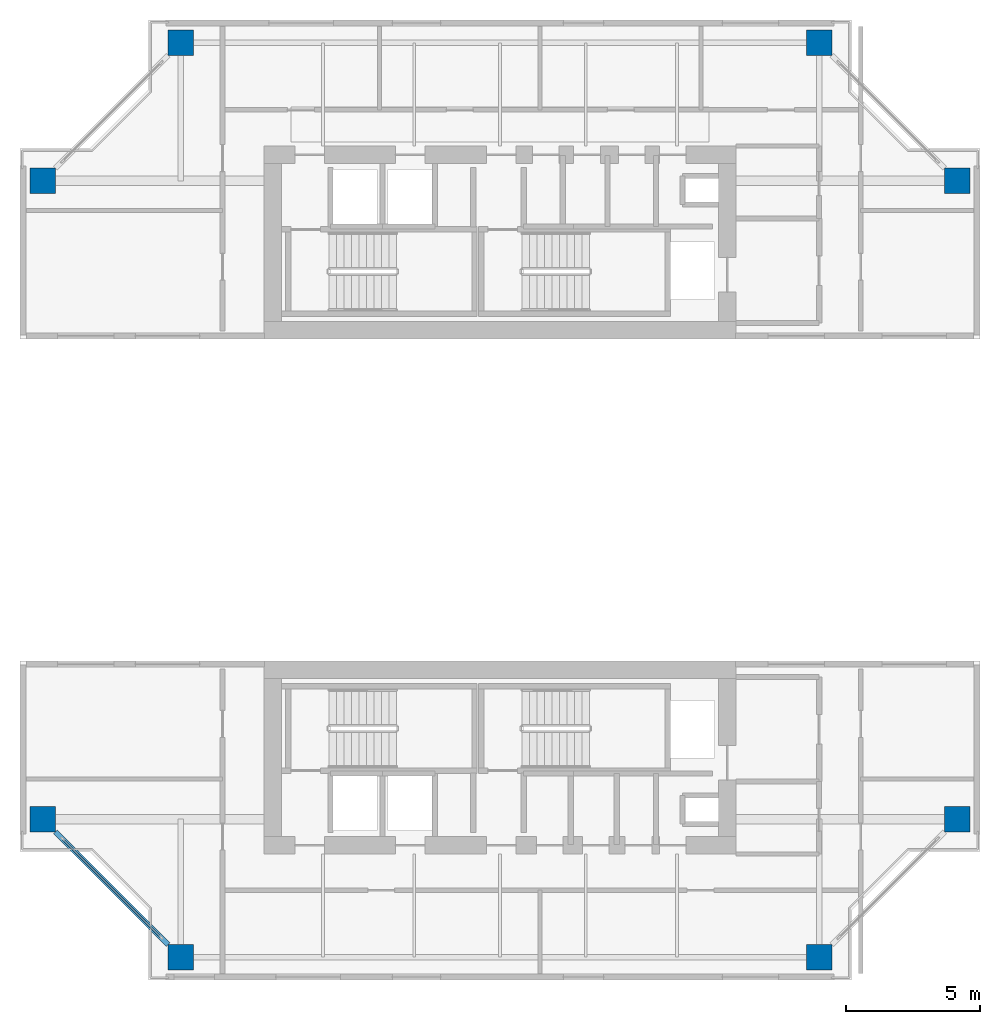
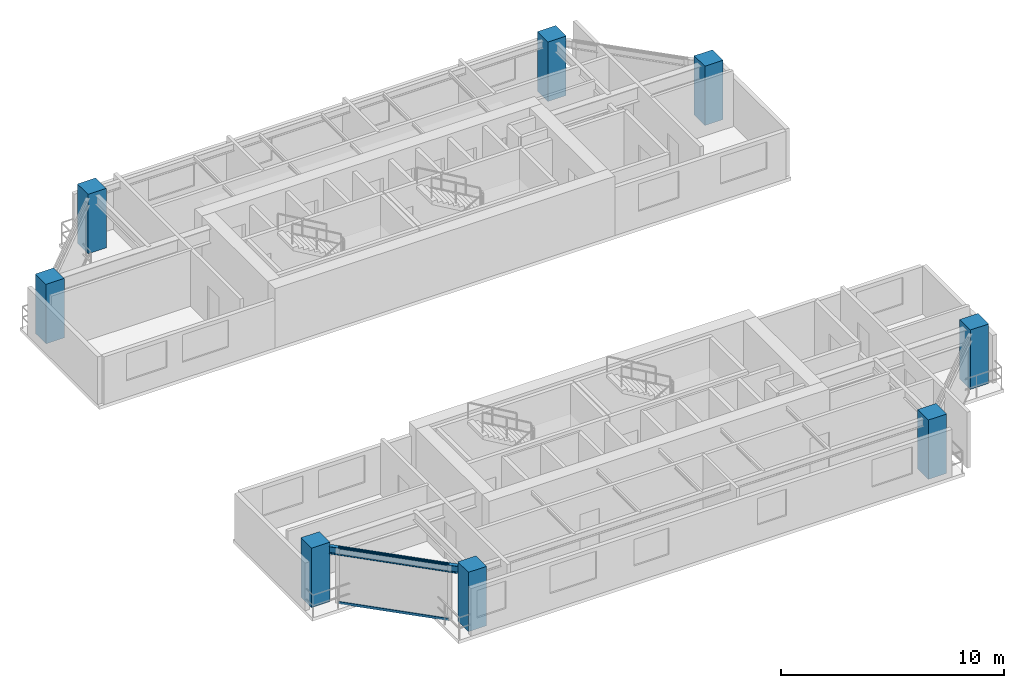
# One storey, part 1 of 12: 8 columns, 2 members, 1 beam, 1 element without a shape of its own.
"""IFC4 building model written with IfcOpenShell, lengths in metres."""

from ifc_helpers import new_model, si_unit, direction, frame, origin, origin_2d, place, context, subcontext, project, spatial, rectangle, i_section, extrude, source, transform, mapped, material, layer, layer_set, material_profile, profile_set, type_object, element, aggregate, save


model = new_model("IFC4")

# Units and contexts
model_context = context("Model", 3, precision=1e-05, world=origin(), true_north=direction((0.0, 1.0)))
body_context = subcontext(model_context, "Body", "Model", "MODEL_VIEW")
ifc_project = project(units=[si_unit("LENGTHUNIT", "METRE"), si_unit("AREAUNIT", "SQUARE_METRE"), si_unit("VOLUMEUNIT", "CUBIC_METRE"), si_unit("PLANEANGLEUNIT", "RADIAN"), si_unit("MASSUNIT", "GRAM", prefix="KILO"), si_unit("THERMODYNAMICTEMPERATUREUNIT", "KELVIN"), si_unit("POWERUNIT", "WATT")], contexts=[model_context])

# Site, building, storey
site_placement = place(None, origin())
site = spatial("IfcSite", under=ifc_project, at=site_placement, CompositionType="ELEMENT")
building_placement = place(site_placement, origin())
building = spatial("IfcBuilding", under=site, at=building_placement, Name="Qiaomeng Ring Towers", CompositionType="ELEMENT")
storey_placement = place(building_placement, frame((0.0, 0.0, 163.25)))
storey = spatial("IfcBuildingStorey", under=building, at=storey_placement, Name="L47", CompositionType="ELEMENT", Elevation=163.25)

# Columns
ifc_material_1 = material(Name="Concrete C50", Category="concrete")
ifc_material_profile_1 = material_profile(ifc_material_1, rectangle(XDim=0.949951171875, YDim=0.949951171875, at=origin_2d()), Name="RC COL 950x950")
ifc_profile_set_1 = profile_set([ifc_material_profile_1], Name="Concrete C50")
column_type = type_object("IfcColumnType", Name="STR-COL-950-C50", PredefinedType="COLUMN", material=ifc_profile_set_1)
shared_shape_1 = source(origin(), body_context, "Body", "SweptSolid", [
    extrude(rectangle(XDim=0.949951171875, YDim=0.949951171875, at=origin_2d()), origin(), (0.0, 0.0, 1.0), 3.25),
])
for number, where, z_axis, x_axis, name in (
    (1, (7.10009765625, 5.949951171875, 0.0), (0.0, 0.0, 1.0), (1.0, 0.0, 0.0), "L47 column STR-COL-L47-T1-S1"),
    (2, (30.89990234375, 5.949951171875, 0.0), (0.0, 0.0, 1.0), (1.0, 0.0, 0.0), "L47 column STR-COL-L47-T1-S2"),
    (3, (36.050048828125, 11.10009765625, 0.0), (0.0, 0.0, 1.0), (1.0, 0.0, 0.0), "L47 column STR-COL-L47-T1-E1"),
    (4, (36.050048828125, 34.89990234375, 0.0), (0.0, 0.0, 1.0), (1.0, 0.0, 0.0), "L47 column STR-COL-L47-T1-E4"),
    (5, (30.89990234375, 40.050048828125, 0.0), (0.0, 0.0, 1.0), (1.0, 0.0, 0.0), "L47 column STR-COL-L47-T1-N2"),
    (6, (7.10009765625, 40.050048828125, 0.0), (0.0, 0.0, 1.0), (1.0, 0.0, 0.0), "L47 column STR-COL-L47-T1-N1"),
    (7, (1.949951171875, 34.89990234375, 0.0), (0.0, 0.0, 1.0), (1.0, 0.0, 0.0), "L47 column STR-COL-L47-T1-W4"),
    (8, (1.949951171875, 11.10009765625, 0.0), (0.0, 0.0, 1.0), (1.0, 0.0, 0.0), "L47 column STR-COL-L47-T1-W1"),
):
    element("IfcColumn", number, at=place(storey_placement, frame(where, z_axis=z_axis, x_axis=x_axis)), inside=storey, type_object=column_type, Name=name, PredefinedType="COLUMN", context=body_context, shape_type="MappedRepresentation", body=[
        mapped(shared_shape_1, transform((0.0, 0.0, 0.0), x_axis=(1.0, 0.0, 0.0), y_axis=(0.0, 1.0, 0.0), z_axis=(0.0, 0.0, 1.0), scale=1.0)),
    ])

# Beam
ifc_material_2 = material(Name="Steel Q355B", Category="steel")
ifc_material_profile_2 = material_profile(ifc_material_2, i_section(OverallWidth=0.199951171875, OverallDepth=0.39990234375, WebThickness=0.008056640625, FlangeThickness=0.012939453125, FilletRadius=0.01611328125, at=origin_2d()), Name="HN 400x200x8x13")
ifc_profile_set_2 = profile_set([ifc_material_profile_2], Name="Steel Q355B")
beam_type = type_object("IfcBeamType", Name="STR-BM-HN400", PredefinedType="SPANDREL", material=ifc_profile_set_2)
shared_shape_2 = source(origin(), body_context, "Body", "SweptSolid", [
    extrude(i_section(OverallWidth=0.199951171875, OverallDepth=0.39990234375, WebThickness=0.008056640625, FlangeThickness=0.012939453125, FilletRadius=0.01611328125, at=origin_2d()), origin(), (0.0, 0.0, 1.0), 5.941650390625),
])
beam_placement = place(storey_placement, frame((2.42431640625, 10.625732421875, 2.8701171875), z_axis=(0.707106781187, -0.707106781187, 0.0), x_axis=(0.707106781187, 0.707106781187, 0.0)))
element("IfcBeam", 9, at=beam_placement, inside=storey, type_object=beam_type, Name="L47 beam STR-SP-L47-T1-W1-S1", PredefinedType="SPANDREL", context=body_context, shape_type="MappedRepresentation", body=[
    mapped(shared_shape_2, transform((0.0, 0.0, 0.0), x_axis=(1.0, 0.0, 0.0), y_axis=(0.0, 1.0, 0.0), z_axis=(0.0, 0.0, 1.0), scale=1.0)),
])

# Curtain wall, members
ifc_material_3 = material(Name="Fluorocarbon dark-grey aluminium", Category="aluminium")
ifc_layer = layer(ifc_material_3, 0.14990234375, Name="Fluorocarbon dark-grey aluminium")
ifc_layer_set = layer_set([ifc_layer], Name="Fluorocarbon dark-grey aluminium")
curtain_wall_type = type_object("IfcCurtainWallType", Name="ARC-CW-3", PredefinedType="NOTDEFINED", material=ifc_layer_set)
curtain_wall_placement = place(storey_placement, origin())
curtain_wall = element("IfcCurtainWall", 10, at=curtain_wall_placement, inside=storey, type_object=curtain_wall_type, Name="L47 Curtain Wall CW3", PredefinedType="NOTDEFINED")
ifc_material_profile_3 = material_profile(ifc_material_3, rectangle(XDim=0.06494140625, YDim=0.1298828125, at=origin_2d()), Name="ALU TRAN 65x130")
ifc_profile_set_3 = profile_set([ifc_material_profile_3], Name="Fluorocarbon dark-grey aluminium")
member_type = type_object("IfcMemberType", Name="ARC-CWT-120", PredefinedType="USERDEFINED", material=ifc_profile_set_3)
shared_shape_3 = source(origin(), body_context, "Body", "SweptSolid", [
    extrude(rectangle(XDim=0.06494140625, YDim=0.1298828125, at=origin_2d()), origin(), (0.0, 0.0, 1.0), 5.12060546875),
])
member_1_placement = place(storey_placement, frame((2.714599609375, 10.33544921875, 0.032470703125), z_axis=(0.707106781187, -0.707106781187, 0.0), x_axis=(0.707106781187, 0.707106781187, 0.0)))
member_1 = element("IfcMember", 11, at=member_1_placement, type_object=member_type, Name="CW3 transom 1.1", ObjectType="TRANSOM", PredefinedType="USERDEFINED", context=body_context, shape_type="MappedRepresentation", body=[
    mapped(shared_shape_3, transform((0.0, 0.0, 0.0), x_axis=(1.0, 0.0, 0.0), y_axis=(0.0, 1.0, 0.0), z_axis=(0.0, 0.0, 1.0), scale=1.0)),
])
member_2_placement = place(storey_placement, frame((2.714599609375, 10.33544921875, 3.03759765625), z_axis=(0.707106781187, -0.707106781187, 0.0), x_axis=(0.707106781187, 0.707106781187, 0.0)))
member_2 = element("IfcMember", 12, at=member_2_placement, type_object=member_type, Name="CW3 transom 1.2", ObjectType="TRANSOM", PredefinedType="USERDEFINED", context=body_context, shape_type="MappedRepresentation", body=[
    mapped(shared_shape_3, transform((0.0, 0.0, 0.0), x_axis=(1.0, 0.0, 0.0), y_axis=(0.0, 1.0, 0.0), z_axis=(0.0, 0.0, 1.0), scale=1.0)),
])
aggregate(curtain_wall, [member_1, member_2])

save(model, "model.ifc")
